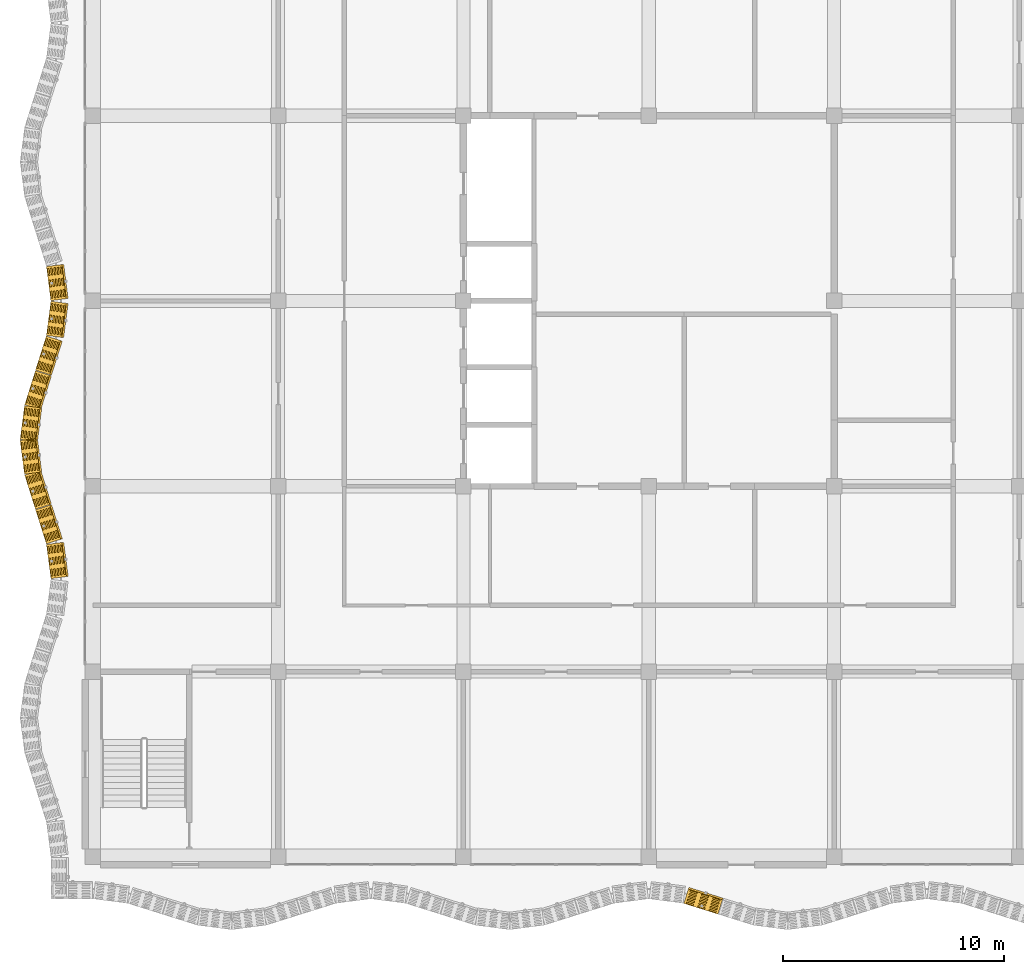
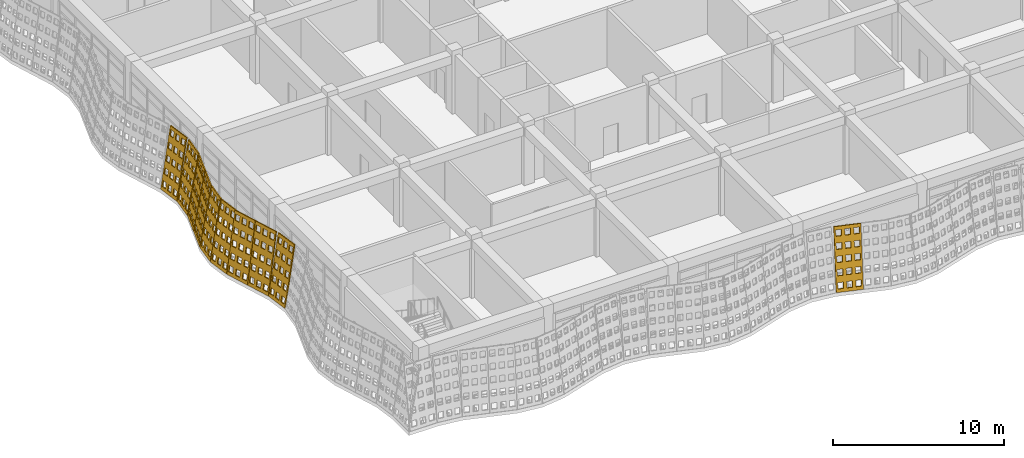
# One storey, part 116 of 162: 10 coverings.
"""IFC4 building model written with IfcOpenShell, lengths in metres."""

from ifc_helpers import new_model, si_unit, direction, frame, origin, place, context, subcontext, project, spatial, polyline, outline, extrude, material, layer, layer_set, type_object, element, save


model = new_model("IFC4")

# Units and contexts
model_context = context("Model", 3, precision=1e-05, world=origin(), true_north=direction((0.0, 1.0)))
body_context = subcontext(model_context, "Body", "Model", "MODEL_VIEW")
ifc_project = project(units=[si_unit("LENGTHUNIT", "METRE"), si_unit("AREAUNIT", "SQUARE_METRE"), si_unit("VOLUMEUNIT", "CUBIC_METRE"), si_unit("PLANEANGLEUNIT", "RADIAN"), si_unit("MASSUNIT", "GRAM", prefix="KILO")], contexts=[model_context])

# Site, building, storey
site_placement = place(None, origin())
site = spatial("IfcSite", under=ifc_project, at=site_placement, CompositionType="ELEMENT")
building_placement = place(site_placement, origin())
building = spatial("IfcBuilding", under=site, at=building_placement, Name="Rain Tree Exposition and Congress Centre", CompositionType="ELEMENT")
storey_placement = place(building_placement, frame((0.0, 0.0, 6.0)))
storey = spatial("IfcBuildingStorey", under=building, at=storey_placement, Name="L01", CompositionType="ELEMENT", Elevation=6.0)

# Coverings
ifc_material = material(Name="Perforated terracotta", Category="masonry")
ifc_layer = layer(ifc_material, 0.080078125)
ifc_layer_set = layer_set([ifc_layer], Name="Perforated terracotta")
covering_type = type_object("IfcCoveringType", Name="Terracotta screen 80", PredefinedType="CLADDING", material=ifc_layer_set)
covering_1_placement = place(storey_placement, frame((26.775634765625, -2.103515625, 0.0126953125), z_axis=(0.295717964052, 0.942029390639, -0.158529217842), x_axis=(-0.954094597562, 0.29950542383, 0.0)))
element("IfcCovering", 1, at=covering_1_placement, inside=storey, type_object=covering_type, Name="wing/screen/L01/018", PredefinedType="CLADDING", context=body_context, shape_type="SweptSolid", body=[
    extrude(outline(polyline([(-1.635986328125, 0.0), (-1.635986328125, 4.291259765625), (-0.014892578125, 4.291259765625), (-0.014892578125, 0.0), (-1.635986328125, 0.0)]), holes=[polyline([(-0.11767578125, 0.221435546875), (-0.11767578125, 0.63671875), (-0.45263671875, 0.63671875), (-0.45263671875, 0.221435546875), (-0.11767578125, 0.221435546875)]), polyline([(-0.11767578125, 1.07958984375), (-0.11767578125, 1.4951171875), (-0.45263671875, 1.4951171875), (-0.45263671875, 1.07958984375), (-0.11767578125, 1.07958984375)]), polyline([(-0.11767578125, 1.93798828125), (-0.11767578125, 2.353271484375), (-0.45263671875, 2.353271484375), (-0.45263671875, 1.93798828125), (-0.11767578125, 1.93798828125)]), polyline([(-0.11767578125, 2.796142578125), (-0.11767578125, 3.21142578125), (-0.45263671875, 3.21142578125), (-0.45263671875, 2.796142578125), (-0.11767578125, 2.796142578125)]), polyline([(-0.11767578125, 3.654541015625), (-0.11767578125, 4.06982421875), (-0.45263671875, 4.06982421875), (-0.45263671875, 3.654541015625), (-0.11767578125, 3.654541015625)]), polyline([(-0.657958984375, 0.221435546875), (-0.657958984375, 0.63671875), (-0.992919921875, 0.63671875), (-0.992919921875, 0.221435546875), (-0.657958984375, 0.221435546875)]), polyline([(-0.657958984375, 1.07958984375), (-0.657958984375, 1.4951171875), (-0.992919921875, 1.4951171875), (-0.992919921875, 1.07958984375), (-0.657958984375, 1.07958984375)]), polyline([(-0.657958984375, 1.93798828125), (-0.657958984375, 2.353271484375), (-0.992919921875, 2.353271484375), (-0.992919921875, 1.93798828125), (-0.657958984375, 1.93798828125)]), polyline([(-0.657958984375, 2.796142578125), (-0.657958984375, 3.21142578125), (-0.992919921875, 3.21142578125), (-0.992919921875, 2.796142578125), (-0.657958984375, 2.796142578125)]), polyline([(-0.657958984375, 3.654541015625), (-0.657958984375, 4.06982421875), (-0.992919921875, 4.06982421875), (-0.992919921875, 3.654541015625), (-0.657958984375, 3.654541015625)]), polyline([(-1.1982421875, 0.221435546875), (-1.1982421875, 0.63671875), (-1.533203125, 0.63671875), (-1.533203125, 0.221435546875), (-1.1982421875, 0.221435546875)]), polyline([(-1.1982421875, 1.07958984375), (-1.1982421875, 1.4951171875), (-1.533203125, 1.4951171875), (-1.533203125, 1.07958984375), (-1.1982421875, 1.07958984375)]), polyline([(-1.1982421875, 1.93798828125), (-1.1982421875, 2.353271484375), (-1.533203125, 2.353271484375), (-1.533203125, 1.93798828125), (-1.1982421875, 1.93798828125)]), polyline([(-1.1982421875, 2.796142578125), (-1.1982421875, 3.21142578125), (-1.533203125, 3.21142578125), (-1.533203125, 2.796142578125), (-1.1982421875, 2.796142578125)]), polyline([(-1.1982421875, 3.654541015625), (-1.1982421875, 4.06982421875), (-1.533203125, 4.06982421875), (-1.533203125, 3.654541015625), (-1.1982421875, 3.654541015625)])]), origin(), (0.0, 0.0, 1.0), 0.080078125),
])
covering_2_placement = place(storey_placement, frame((-2.10302734375, 26.775390625, 0.01318359375), z_axis=(0.978282259159, 0.125342414455, -0.165085131233), x_axis=(-0.127086122318, 0.991891686382, 0.0)))
element("IfcCovering", 2, at=covering_2_placement, inside=storey, type_object=covering_type, Name="wing/screen/L01/118", PredefinedType="CLADDING", context=body_context, shape_type="SweptSolid", body=[
    extrude(outline(polyline([(-1.5732421875, 0.0), (-1.5732421875, 4.295166015625), (-0.014892578125, 4.295166015625), (-0.014892578125, 0.0), (-1.5732421875, 0.0)]), holes=[polyline([(-0.11376953125, 0.2216796875), (-0.11376953125, 0.63720703125), (-0.435791015625, 0.63720703125), (-0.435791015625, 0.2216796875), (-0.11376953125, 0.2216796875)]), polyline([(-0.11376953125, 1.080810546875), (-0.11376953125, 1.496337890625), (-0.435791015625, 1.496337890625), (-0.435791015625, 1.080810546875), (-0.11376953125, 1.080810546875)]), polyline([(-0.11376953125, 1.939697265625), (-0.11376953125, 2.35546875), (-0.435791015625, 2.35546875), (-0.435791015625, 1.939697265625), (-0.11376953125, 1.939697265625)]), polyline([(-0.11376953125, 2.798583984375), (-0.11376953125, 3.21435546875), (-0.435791015625, 3.21435546875), (-0.435791015625, 2.798583984375), (-0.11376953125, 2.798583984375)]), polyline([(-0.11376953125, 3.65771484375), (-0.11376953125, 4.073486328125), (-0.435791015625, 4.073486328125), (-0.435791015625, 3.65771484375), (-0.11376953125, 3.65771484375)]), polyline([(-0.633056640625, 0.2216796875), (-0.633056640625, 0.63720703125), (-0.955078125, 0.63720703125), (-0.955078125, 0.2216796875), (-0.633056640625, 0.2216796875)]), polyline([(-0.633056640625, 1.080810546875), (-0.633056640625, 1.496337890625), (-0.955078125, 1.496337890625), (-0.955078125, 1.080810546875), (-0.633056640625, 1.080810546875)]), polyline([(-0.633056640625, 1.939697265625), (-0.633056640625, 2.35546875), (-0.955078125, 2.35546875), (-0.955078125, 1.939697265625), (-0.633056640625, 1.939697265625)]), polyline([(-0.633056640625, 2.798583984375), (-0.633056640625, 3.21435546875), (-0.955078125, 3.21435546875), (-0.955078125, 2.798583984375), (-0.633056640625, 2.798583984375)]), polyline([(-0.633056640625, 3.65771484375), (-0.633056640625, 4.073486328125), (-0.955078125, 4.073486328125), (-0.955078125, 3.65771484375), (-0.633056640625, 3.65771484375)]), polyline([(-1.152587890625, 0.2216796875), (-1.152587890625, 0.63720703125), (-1.474609375, 0.63720703125), (-1.474609375, 0.2216796875), (-1.152587890625, 0.2216796875)]), polyline([(-1.152587890625, 1.080810546875), (-1.152587890625, 1.496337890625), (-1.474609375, 1.496337890625), (-1.474609375, 1.080810546875), (-1.152587890625, 1.080810546875)]), polyline([(-1.152587890625, 1.939697265625), (-1.152587890625, 2.35546875), (-1.474609375, 2.35546875), (-1.474609375, 1.939697265625), (-1.152587890625, 1.939697265625)]), polyline([(-1.152587890625, 2.798583984375), (-1.152587890625, 3.21435546875), (-1.474609375, 3.21435546875), (-1.474609375, 2.798583984375), (-1.152587890625, 2.798583984375)]), polyline([(-1.152587890625, 3.65771484375), (-1.152587890625, 4.073486328125), (-1.474609375, 4.073486328125), (-1.474609375, 3.65771484375), (-1.152587890625, 3.65771484375)])]), origin(), (0.0, 0.0, 1.0), 0.079833984375),
])
covering_3_placement = place(storey_placement, frame((-1.898193359375, 25.19970703125, 0.01318359375), z_axis=(0.978036007662, -0.127967328105, -0.16452942185), x_axis=(0.129735338481, 0.991548658387, 0.0)))
element("IfcCovering", 3, at=covering_3_placement, inside=storey, type_object=covering_type, Name="wing/screen/L01/119", PredefinedType="CLADDING", context=body_context, shape_type="SweptSolid", body=[
    extrude(outline(polyline([(-1.5732421875, 0.0), (-1.5732421875, 4.295166015625), (-0.014892578125, 4.295166015625), (-0.014892578125, 0.0), (-1.5732421875, 0.0)]), holes=[polyline([(-0.11376953125, 0.2216796875), (-0.11376953125, 0.63720703125), (-0.435791015625, 0.63720703125), (-0.435791015625, 0.2216796875), (-0.11376953125, 0.2216796875)]), polyline([(-0.11376953125, 1.080810546875), (-0.11376953125, 1.496337890625), (-0.435791015625, 1.496337890625), (-0.435791015625, 1.080810546875), (-0.11376953125, 1.080810546875)]), polyline([(-0.11376953125, 1.939697265625), (-0.11376953125, 2.35546875), (-0.435791015625, 2.35546875), (-0.435791015625, 1.939697265625), (-0.11376953125, 1.939697265625)]), polyline([(-0.11376953125, 2.798583984375), (-0.11376953125, 3.21435546875), (-0.435791015625, 3.21435546875), (-0.435791015625, 2.798583984375), (-0.11376953125, 2.798583984375)]), polyline([(-0.11376953125, 3.65771484375), (-0.11376953125, 4.073486328125), (-0.435791015625, 4.073486328125), (-0.435791015625, 3.65771484375), (-0.11376953125, 3.65771484375)]), polyline([(-0.633056640625, 0.2216796875), (-0.633056640625, 0.63720703125), (-0.955078125, 0.63720703125), (-0.955078125, 0.2216796875), (-0.633056640625, 0.2216796875)]), polyline([(-0.633056640625, 1.080810546875), (-0.633056640625, 1.496337890625), (-0.955078125, 1.496337890625), (-0.955078125, 1.080810546875), (-0.633056640625, 1.080810546875)]), polyline([(-0.633056640625, 1.939697265625), (-0.633056640625, 2.35546875), (-0.955078125, 2.35546875), (-0.955078125, 1.939697265625), (-0.633056640625, 1.939697265625)]), polyline([(-0.633056640625, 2.798583984375), (-0.633056640625, 3.21435546875), (-0.955078125, 3.21435546875), (-0.955078125, 2.798583984375), (-0.633056640625, 2.798583984375)]), polyline([(-0.633056640625, 3.65771484375), (-0.633056640625, 4.073486328125), (-0.955078125, 4.073486328125), (-0.955078125, 3.65771484375), (-0.633056640625, 3.65771484375)]), polyline([(-1.152587890625, 0.2216796875), (-1.152587890625, 0.63720703125), (-1.474609375, 0.63720703125), (-1.474609375, 0.2216796875), (-1.152587890625, 0.2216796875)]), polyline([(-1.152587890625, 1.080810546875), (-1.152587890625, 1.496337890625), (-1.474609375, 1.496337890625), (-1.474609375, 1.080810546875), (-1.152587890625, 1.080810546875)]), polyline([(-1.152587890625, 1.939697265625), (-1.152587890625, 2.35546875), (-1.474609375, 2.35546875), (-1.474609375, 1.939697265625), (-1.152587890625, 1.939697265625)]), polyline([(-1.152587890625, 2.798583984375), (-1.152587890625, 3.21435546875), (-1.474609375, 3.21435546875), (-1.474609375, 2.798583984375), (-1.152587890625, 2.798583984375)]), polyline([(-1.152587890625, 3.65771484375), (-1.152587890625, 4.073486328125), (-1.474609375, 4.073486328125), (-1.474609375, 3.65771484375), (-1.152587890625, 3.65771484375)])]), origin(), (0.0, 0.0, 1.0), 0.080078125),
])
covering_4_placement = place(storey_placement, frame((-2.103515625, 23.62451171875, 0.0126953125), z_axis=(0.941176896939, -0.298496232686, -0.158385756119), x_axis=(0.302312226207, 0.953208958144, 0.0)))
element("IfcCovering", 4, at=covering_4_placement, inside=storey, type_object=covering_type, Name="wing/screen/L01/120", PredefinedType="CLADDING", context=body_context, shape_type="SweptSolid", body=[
    extrude(outline(polyline([(-1.635986328125, 0.0), (-1.635986328125, 4.291259765625), (-0.014892578125, 4.291259765625), (-0.014892578125, 0.0), (-1.635986328125, 0.0)]), holes=[polyline([(-0.11767578125, 0.221435546875), (-0.11767578125, 0.63671875), (-0.45263671875, 0.63671875), (-0.45263671875, 0.221435546875), (-0.11767578125, 0.221435546875)]), polyline([(-0.11767578125, 1.07958984375), (-0.11767578125, 1.4951171875), (-0.45263671875, 1.4951171875), (-0.45263671875, 1.07958984375), (-0.11767578125, 1.07958984375)]), polyline([(-0.11767578125, 1.93798828125), (-0.11767578125, 2.353271484375), (-0.45263671875, 2.353271484375), (-0.45263671875, 1.93798828125), (-0.11767578125, 1.93798828125)]), polyline([(-0.11767578125, 2.796142578125), (-0.11767578125, 3.21142578125), (-0.45263671875, 3.21142578125), (-0.45263671875, 2.796142578125), (-0.11767578125, 2.796142578125)]), polyline([(-0.11767578125, 3.654541015625), (-0.11767578125, 4.06982421875), (-0.45263671875, 4.06982421875), (-0.45263671875, 3.654541015625), (-0.11767578125, 3.654541015625)]), polyline([(-0.657958984375, 0.221435546875), (-0.657958984375, 0.63671875), (-0.992919921875, 0.63671875), (-0.992919921875, 0.221435546875), (-0.657958984375, 0.221435546875)]), polyline([(-0.657958984375, 1.07958984375), (-0.657958984375, 1.4951171875), (-0.992919921875, 1.4951171875), (-0.992919921875, 1.07958984375), (-0.657958984375, 1.07958984375)]), polyline([(-0.657958984375, 1.93798828125), (-0.657958984375, 2.353271484375), (-0.992919921875, 2.353271484375), (-0.992919921875, 1.93798828125), (-0.657958984375, 1.93798828125)]), polyline([(-0.657958984375, 2.796142578125), (-0.657958984375, 3.21142578125), (-0.992919921875, 3.21142578125), (-0.992919921875, 2.796142578125), (-0.657958984375, 2.796142578125)]), polyline([(-0.657958984375, 3.654541015625), (-0.657958984375, 4.06982421875), (-0.992919921875, 4.06982421875), (-0.992919921875, 3.654541015625), (-0.657958984375, 3.654541015625)]), polyline([(-1.1982421875, 0.221435546875), (-1.1982421875, 0.63671875), (-1.533203125, 0.63671875), (-1.533203125, 0.221435546875), (-1.1982421875, 0.221435546875)]), polyline([(-1.1982421875, 1.07958984375), (-1.1982421875, 1.4951171875), (-1.533203125, 1.4951171875), (-1.533203125, 1.07958984375), (-1.1982421875, 1.07958984375)]), polyline([(-1.1982421875, 1.93798828125), (-1.1982421875, 2.353271484375), (-1.533203125, 2.353271484375), (-1.533203125, 1.93798828125), (-1.1982421875, 1.93798828125)]), polyline([(-1.1982421875, 2.796142578125), (-1.1982421875, 3.21142578125), (-1.533203125, 3.21142578125), (-1.533203125, 2.796142578125), (-1.1982421875, 2.796142578125)]), polyline([(-1.1982421875, 3.654541015625), (-1.1982421875, 4.06982421875), (-1.533203125, 4.06982421875), (-1.533203125, 3.654541015625), (-1.1982421875, 3.654541015625)])]), origin(), (0.0, 0.0, 1.0), 0.080078125),
])
covering_5_placement = place(storey_placement, frame((-2.598388671875, 22.04931640625, 0.0126953125), z_axis=(0.942029390639, -0.295717964052, -0.158529217842), x_axis=(0.29950542383, 0.954094597562, 0.0)))
element("IfcCovering", 5, at=covering_5_placement, inside=storey, type_object=covering_type, Name="wing/screen/L01/121", PredefinedType="CLADDING", context=body_context, shape_type="SweptSolid", body=[
    extrude(outline(polyline([(-1.62890625, 0.0), (-1.62890625, 4.291259765625), (-0.014892578125, 4.291259765625), (-0.014892578125, 0.0), (-1.62890625, 0.0)]), holes=[polyline([(-0.1171875, 0.221435546875), (-0.1171875, 0.63671875), (-0.45068359375, 0.63671875), (-0.45068359375, 0.221435546875), (-0.1171875, 0.221435546875)]), polyline([(-0.1171875, 1.07958984375), (-0.1171875, 1.4951171875), (-0.45068359375, 1.4951171875), (-0.45068359375, 1.07958984375), (-0.1171875, 1.07958984375)]), polyline([(-0.1171875, 1.93798828125), (-0.1171875, 2.353271484375), (-0.45068359375, 2.353271484375), (-0.45068359375, 1.93798828125), (-0.1171875, 1.93798828125)]), polyline([(-0.1171875, 2.796142578125), (-0.1171875, 3.21142578125), (-0.45068359375, 3.21142578125), (-0.45068359375, 2.796142578125), (-0.1171875, 2.796142578125)]), polyline([(-0.1171875, 3.654541015625), (-0.1171875, 4.06982421875), (-0.45068359375, 4.06982421875), (-0.45068359375, 3.654541015625), (-0.1171875, 3.654541015625)]), polyline([(-0.6552734375, 0.221435546875), (-0.6552734375, 0.63671875), (-0.98876953125, 0.63671875), (-0.98876953125, 0.221435546875), (-0.6552734375, 0.221435546875)]), polyline([(-0.6552734375, 1.07958984375), (-0.6552734375, 1.4951171875), (-0.98876953125, 1.4951171875), (-0.98876953125, 1.07958984375), (-0.6552734375, 1.07958984375)]), polyline([(-0.6552734375, 1.93798828125), (-0.6552734375, 2.353271484375), (-0.98876953125, 2.353271484375), (-0.98876953125, 1.93798828125), (-0.6552734375, 1.93798828125)]), polyline([(-0.6552734375, 2.796142578125), (-0.6552734375, 3.21142578125), (-0.98876953125, 3.21142578125), (-0.98876953125, 2.796142578125), (-0.6552734375, 2.796142578125)]), polyline([(-0.6552734375, 3.654541015625), (-0.6552734375, 4.06982421875), (-0.98876953125, 4.06982421875), (-0.98876953125, 3.654541015625), (-0.6552734375, 3.654541015625)]), polyline([(-1.193115234375, 0.221435546875), (-1.193115234375, 0.63671875), (-1.526611328125, 0.63671875), (-1.526611328125, 0.221435546875), (-1.193115234375, 0.221435546875)]), polyline([(-1.193115234375, 1.07958984375), (-1.193115234375, 1.4951171875), (-1.526611328125, 1.4951171875), (-1.526611328125, 1.07958984375), (-1.193115234375, 1.07958984375)]), polyline([(-1.193115234375, 1.93798828125), (-1.193115234375, 2.353271484375), (-1.526611328125, 2.353271484375), (-1.526611328125, 1.93798828125), (-1.193115234375, 1.93798828125)]), polyline([(-1.193115234375, 2.796142578125), (-1.193115234375, 3.21142578125), (-1.526611328125, 3.21142578125), (-1.526611328125, 2.796142578125), (-1.193115234375, 2.796142578125)]), polyline([(-1.193115234375, 3.654541015625), (-1.193115234375, 4.06982421875), (-1.526611328125, 4.06982421875), (-1.526611328125, 3.654541015625), (-1.193115234375, 3.654541015625)])]), origin(), (0.0, 0.0, 1.0), 0.080078125),
])
covering_6_placement = place(storey_placement, frame((-3.093017578125, 20.474609375, 0.01318359375), z_axis=(0.978282259159, -0.125342414455, -0.165085131233), x_axis=(0.127086122318, 0.991891686382, 0.0)))
element("IfcCovering", 6, at=covering_6_placement, inside=storey, type_object=covering_type, Name="wing/screen/L01/122", PredefinedType="CLADDING", context=body_context, shape_type="SweptSolid", body=[
    extrude(outline(polyline([(-1.56298828125, 0.0), (-1.56298828125, 4.295166015625), (-0.02197265625, 4.295166015625), (-0.02197265625, 0.0), (-1.56298828125, 0.0)]), holes=[polyline([(-0.11962890625, 0.2216796875), (-0.11962890625, 0.63720703125), (-0.43798828125, 0.63720703125), (-0.43798828125, 0.2216796875), (-0.11962890625, 0.2216796875)]), polyline([(-0.11962890625, 1.080810546875), (-0.11962890625, 1.496337890625), (-0.43798828125, 1.496337890625), (-0.43798828125, 1.080810546875), (-0.11962890625, 1.080810546875)]), polyline([(-0.11962890625, 1.939697265625), (-0.11962890625, 2.35546875), (-0.43798828125, 2.35546875), (-0.43798828125, 1.939697265625), (-0.11962890625, 1.939697265625)]), polyline([(-0.11962890625, 2.798583984375), (-0.11962890625, 3.21435546875), (-0.43798828125, 3.21435546875), (-0.43798828125, 2.798583984375), (-0.11962890625, 2.798583984375)]), polyline([(-0.11962890625, 3.65771484375), (-0.11962890625, 4.073486328125), (-0.43798828125, 4.073486328125), (-0.43798828125, 3.65771484375), (-0.11962890625, 3.65771484375)]), polyline([(-0.63330078125, 0.2216796875), (-0.63330078125, 0.63720703125), (-0.95166015625, 0.63720703125), (-0.95166015625, 0.2216796875), (-0.63330078125, 0.2216796875)]), polyline([(-0.63330078125, 1.080810546875), (-0.63330078125, 1.496337890625), (-0.95166015625, 1.496337890625), (-0.95166015625, 1.080810546875), (-0.63330078125, 1.080810546875)]), polyline([(-0.63330078125, 1.939697265625), (-0.63330078125, 2.35546875), (-0.95166015625, 2.35546875), (-0.95166015625, 1.939697265625), (-0.63330078125, 1.939697265625)]), polyline([(-0.63330078125, 2.798583984375), (-0.63330078125, 3.21435546875), (-0.95166015625, 3.21435546875), (-0.95166015625, 2.798583984375), (-0.63330078125, 2.798583984375)]), polyline([(-0.63330078125, 3.65771484375), (-0.63330078125, 4.073486328125), (-0.95166015625, 4.073486328125), (-0.95166015625, 3.65771484375), (-0.63330078125, 3.65771484375)]), polyline([(-1.146728515625, 0.2216796875), (-1.146728515625, 0.63720703125), (-1.46533203125, 0.63720703125), (-1.46533203125, 0.2216796875), (-1.146728515625, 0.2216796875)]), polyline([(-1.146728515625, 1.080810546875), (-1.146728515625, 1.496337890625), (-1.46533203125, 1.496337890625), (-1.46533203125, 1.080810546875), (-1.146728515625, 1.080810546875)]), polyline([(-1.146728515625, 1.939697265625), (-1.146728515625, 2.35546875), (-1.46533203125, 2.35546875), (-1.46533203125, 1.939697265625), (-1.146728515625, 1.939697265625)]), polyline([(-1.146728515625, 2.798583984375), (-1.146728515625, 3.21435546875), (-1.46533203125, 3.21435546875), (-1.46533203125, 2.798583984375), (-1.146728515625, 2.798583984375)]), polyline([(-1.146728515625, 3.65771484375), (-1.146728515625, 4.073486328125), (-1.46533203125, 4.073486328125), (-1.46533203125, 3.65771484375), (-1.146728515625, 3.65771484375)])]), origin(), (0.0, 0.0, 1.0), 0.079833984375),
])
covering_7_placement = place(storey_placement, frame((-3.298095703125, 18.900390625, 0.01318359375), z_axis=(0.978282259159, 0.125342414455, -0.165085131233), x_axis=(-0.127086122318, 0.991891686382, 0.0)))
element("IfcCovering", 7, at=covering_7_placement, inside=storey, type_object=covering_type, Name="wing/screen/L01/123", PredefinedType="CLADDING", context=body_context, shape_type="SweptSolid", body=[
    extrude(outline(polyline([(-1.56640625, 0.0), (-1.56640625, 4.295166015625), (-0.025390625, 4.295166015625), (-0.025390625, 0.0), (-1.56640625, 0.0)]), holes=[polyline([(-0.123046875, 0.2216796875), (-0.123046875, 0.63720703125), (-0.44140625, 0.63720703125), (-0.44140625, 0.2216796875), (-0.123046875, 0.2216796875)]), polyline([(-0.123046875, 1.080810546875), (-0.123046875, 1.496337890625), (-0.44140625, 1.496337890625), (-0.44140625, 1.080810546875), (-0.123046875, 1.080810546875)]), polyline([(-0.123046875, 1.939697265625), (-0.123046875, 2.35546875), (-0.44140625, 2.35546875), (-0.44140625, 1.939697265625), (-0.123046875, 1.939697265625)]), polyline([(-0.123046875, 2.798583984375), (-0.123046875, 3.21435546875), (-0.44140625, 3.21435546875), (-0.44140625, 2.798583984375), (-0.123046875, 2.798583984375)]), polyline([(-0.123046875, 3.65771484375), (-0.123046875, 4.073486328125), (-0.44140625, 4.073486328125), (-0.44140625, 3.65771484375), (-0.123046875, 3.65771484375)]), polyline([(-0.63671875, 0.2216796875), (-0.63671875, 0.63720703125), (-0.955078125, 0.63720703125), (-0.955078125, 0.2216796875), (-0.63671875, 0.2216796875)]), polyline([(-0.63671875, 1.080810546875), (-0.63671875, 1.496337890625), (-0.955078125, 1.496337890625), (-0.955078125, 1.080810546875), (-0.63671875, 1.080810546875)]), polyline([(-0.63671875, 1.939697265625), (-0.63671875, 2.35546875), (-0.955078125, 2.35546875), (-0.955078125, 1.939697265625), (-0.63671875, 1.939697265625)]), polyline([(-0.63671875, 2.798583984375), (-0.63671875, 3.21435546875), (-0.955078125, 3.21435546875), (-0.955078125, 2.798583984375), (-0.63671875, 2.798583984375)]), polyline([(-0.63671875, 3.65771484375), (-0.63671875, 4.073486328125), (-0.955078125, 4.073486328125), (-0.955078125, 3.65771484375), (-0.63671875, 3.65771484375)]), polyline([(-1.150146484375, 0.2216796875), (-1.150146484375, 0.63720703125), (-1.46875, 0.63720703125), (-1.46875, 0.2216796875), (-1.150146484375, 0.2216796875)]), polyline([(-1.150146484375, 1.080810546875), (-1.150146484375, 1.496337890625), (-1.46875, 1.496337890625), (-1.46875, 1.080810546875), (-1.150146484375, 1.080810546875)]), polyline([(-1.150146484375, 1.939697265625), (-1.150146484375, 2.35546875), (-1.46875, 2.35546875), (-1.46875, 1.939697265625), (-1.150146484375, 1.939697265625)]), polyline([(-1.150146484375, 2.798583984375), (-1.150146484375, 3.21435546875), (-1.46875, 3.21435546875), (-1.46875, 2.798583984375), (-1.150146484375, 2.798583984375)]), polyline([(-1.150146484375, 3.65771484375), (-1.150146484375, 4.073486328125), (-1.46875, 4.073486328125), (-1.46875, 3.65771484375), (-1.150146484375, 3.65771484375)])]), origin(), (0.0, 0.0, 1.0), 0.079833984375),
])
covering_8_placement = place(storey_placement, frame((-3.093505859375, 17.32568359375, 0.0126953125), z_axis=(0.942029390639, 0.295717964052, -0.158529217842), x_axis=(-0.29950542383, 0.954094597562, 0.0)))
element("IfcCovering", 8, at=covering_8_placement, inside=storey, type_object=covering_type, Name="wing/screen/L01/124", PredefinedType="CLADDING", context=body_context, shape_type="SweptSolid", body=[
    extrude(outline(polyline([(-1.635986328125, 0.0), (-1.635986328125, 4.291259765625), (-0.02197265625, 4.291259765625), (-0.02197265625, 0.0), (-1.635986328125, 0.0)]), holes=[polyline([(-0.124267578125, 0.221435546875), (-0.124267578125, 0.63671875), (-0.457763671875, 0.63671875), (-0.457763671875, 0.221435546875), (-0.124267578125, 0.221435546875)]), polyline([(-0.124267578125, 1.07958984375), (-0.124267578125, 1.4951171875), (-0.457763671875, 1.4951171875), (-0.457763671875, 1.07958984375), (-0.124267578125, 1.07958984375)]), polyline([(-0.124267578125, 1.93798828125), (-0.124267578125, 2.353271484375), (-0.457763671875, 2.353271484375), (-0.457763671875, 1.93798828125), (-0.124267578125, 1.93798828125)]), polyline([(-0.124267578125, 2.796142578125), (-0.124267578125, 3.21142578125), (-0.457763671875, 3.21142578125), (-0.457763671875, 2.796142578125), (-0.124267578125, 2.796142578125)]), polyline([(-0.124267578125, 3.654541015625), (-0.124267578125, 4.06982421875), (-0.457763671875, 4.06982421875), (-0.457763671875, 3.654541015625), (-0.124267578125, 3.654541015625)]), polyline([(-0.662109375, 0.221435546875), (-0.662109375, 0.63671875), (-0.995849609375, 0.63671875), (-0.995849609375, 0.221435546875), (-0.662109375, 0.221435546875)]), polyline([(-0.662109375, 1.07958984375), (-0.662109375, 1.4951171875), (-0.995849609375, 1.4951171875), (-0.995849609375, 1.07958984375), (-0.662109375, 1.07958984375)]), polyline([(-0.662109375, 1.93798828125), (-0.662109375, 2.353271484375), (-0.995849609375, 2.353271484375), (-0.995849609375, 1.93798828125), (-0.662109375, 1.93798828125)]), polyline([(-0.662109375, 2.796142578125), (-0.662109375, 3.21142578125), (-0.995849609375, 3.21142578125), (-0.995849609375, 2.796142578125), (-0.662109375, 2.796142578125)]), polyline([(-0.662109375, 3.654541015625), (-0.662109375, 4.06982421875), (-0.995849609375, 4.06982421875), (-0.995849609375, 3.654541015625), (-0.662109375, 3.654541015625)]), polyline([(-1.2001953125, 0.221435546875), (-1.2001953125, 0.63671875), (-1.53369140625, 0.63671875), (-1.53369140625, 0.221435546875), (-1.2001953125, 0.221435546875)]), polyline([(-1.2001953125, 1.07958984375), (-1.2001953125, 1.4951171875), (-1.53369140625, 1.4951171875), (-1.53369140625, 1.07958984375), (-1.2001953125, 1.07958984375)]), polyline([(-1.2001953125, 1.93798828125), (-1.2001953125, 2.353271484375), (-1.53369140625, 2.353271484375), (-1.53369140625, 1.93798828125), (-1.2001953125, 1.93798828125)]), polyline([(-1.2001953125, 2.796142578125), (-1.2001953125, 3.21142578125), (-1.53369140625, 3.21142578125), (-1.53369140625, 2.796142578125), (-1.2001953125, 2.796142578125)]), polyline([(-1.2001953125, 3.654541015625), (-1.2001953125, 4.06982421875), (-1.53369140625, 4.06982421875), (-1.53369140625, 3.654541015625), (-1.2001953125, 3.654541015625)])]), origin(), (0.0, 0.0, 1.0), 0.080078125),
])
covering_9_placement = place(storey_placement, frame((-2.598388671875, 15.75048828125, 0.0126953125), z_axis=(0.941176896939, 0.298496232686, -0.158385756119), x_axis=(-0.302312226207, 0.953208958144, 0.0)))
element("IfcCovering", 9, at=covering_9_placement, inside=storey, type_object=covering_type, Name="wing/screen/L01/125", PredefinedType="CLADDING", context=body_context, shape_type="SweptSolid", body=[
    extrude(outline(polyline([(-1.635986328125, 0.0), (-1.635986328125, 4.291259765625), (-0.014892578125, 4.291259765625), (-0.014892578125, 0.0), (-1.635986328125, 0.0)]), holes=[polyline([(-0.11767578125, 0.221435546875), (-0.11767578125, 0.63671875), (-0.45263671875, 0.63671875), (-0.45263671875, 0.221435546875), (-0.11767578125, 0.221435546875)]), polyline([(-0.11767578125, 1.07958984375), (-0.11767578125, 1.4951171875), (-0.45263671875, 1.4951171875), (-0.45263671875, 1.07958984375), (-0.11767578125, 1.07958984375)]), polyline([(-0.11767578125, 1.93798828125), (-0.11767578125, 2.353271484375), (-0.45263671875, 2.353271484375), (-0.45263671875, 1.93798828125), (-0.11767578125, 1.93798828125)]), polyline([(-0.11767578125, 2.796142578125), (-0.11767578125, 3.21142578125), (-0.45263671875, 3.21142578125), (-0.45263671875, 2.796142578125), (-0.11767578125, 2.796142578125)]), polyline([(-0.11767578125, 3.654541015625), (-0.11767578125, 4.06982421875), (-0.45263671875, 4.06982421875), (-0.45263671875, 3.654541015625), (-0.11767578125, 3.654541015625)]), polyline([(-0.657958984375, 0.221435546875), (-0.657958984375, 0.63671875), (-0.992919921875, 0.63671875), (-0.992919921875, 0.221435546875), (-0.657958984375, 0.221435546875)]), polyline([(-0.657958984375, 1.07958984375), (-0.657958984375, 1.4951171875), (-0.992919921875, 1.4951171875), (-0.992919921875, 1.07958984375), (-0.657958984375, 1.07958984375)]), polyline([(-0.657958984375, 1.93798828125), (-0.657958984375, 2.353271484375), (-0.992919921875, 2.353271484375), (-0.992919921875, 1.93798828125), (-0.657958984375, 1.93798828125)]), polyline([(-0.657958984375, 2.796142578125), (-0.657958984375, 3.21142578125), (-0.992919921875, 3.21142578125), (-0.992919921875, 2.796142578125), (-0.657958984375, 2.796142578125)]), polyline([(-0.657958984375, 3.654541015625), (-0.657958984375, 4.06982421875), (-0.992919921875, 4.06982421875), (-0.992919921875, 3.654541015625), (-0.657958984375, 3.654541015625)]), polyline([(-1.1982421875, 0.221435546875), (-1.1982421875, 0.63671875), (-1.533203125, 0.63671875), (-1.533203125, 0.221435546875), (-1.1982421875, 0.221435546875)]), polyline([(-1.1982421875, 1.07958984375), (-1.1982421875, 1.4951171875), (-1.533203125, 1.4951171875), (-1.533203125, 1.07958984375), (-1.1982421875, 1.07958984375)]), polyline([(-1.1982421875, 1.93798828125), (-1.1982421875, 2.353271484375), (-1.533203125, 2.353271484375), (-1.533203125, 1.93798828125), (-1.1982421875, 1.93798828125)]), polyline([(-1.1982421875, 2.796142578125), (-1.1982421875, 3.21142578125), (-1.533203125, 3.21142578125), (-1.533203125, 2.796142578125), (-1.1982421875, 2.796142578125)]), polyline([(-1.1982421875, 3.654541015625), (-1.1982421875, 4.06982421875), (-1.533203125, 4.06982421875), (-1.533203125, 3.654541015625), (-1.1982421875, 3.654541015625)])]), origin(), (0.0, 0.0, 1.0), 0.080078125),
])
covering_10_placement = place(storey_placement, frame((-2.10302734375, 14.17529296875, 0.01318359375), z_axis=(0.9779030419, 0.128349774249, -0.165021138321), x_axis=(-0.130133906157, 0.991496427865, 0.0)))
element("IfcCovering", 10, at=covering_10_placement, inside=storey, type_object=covering_type, Name="wing/screen/L01/126", PredefinedType="CLADDING", context=body_context, shape_type="SweptSolid", body=[
    extrude(outline(polyline([(-1.5732421875, 0.0), (-1.5732421875, 4.295166015625), (-0.014892578125, 4.295166015625), (-0.014892578125, 0.0), (-1.5732421875, 0.0)]), holes=[polyline([(-0.11376953125, 0.2216796875), (-0.11376953125, 0.63720703125), (-0.435791015625, 0.63720703125), (-0.435791015625, 0.2216796875), (-0.11376953125, 0.2216796875)]), polyline([(-0.11376953125, 1.080810546875), (-0.11376953125, 1.496337890625), (-0.435791015625, 1.496337890625), (-0.435791015625, 1.080810546875), (-0.11376953125, 1.080810546875)]), polyline([(-0.11376953125, 1.939697265625), (-0.11376953125, 2.35546875), (-0.435791015625, 2.35546875), (-0.435791015625, 1.939697265625), (-0.11376953125, 1.939697265625)]), polyline([(-0.11376953125, 2.798583984375), (-0.11376953125, 3.21435546875), (-0.435791015625, 3.21435546875), (-0.435791015625, 2.798583984375), (-0.11376953125, 2.798583984375)]), polyline([(-0.11376953125, 3.65771484375), (-0.11376953125, 4.073486328125), (-0.435791015625, 4.073486328125), (-0.435791015625, 3.65771484375), (-0.11376953125, 3.65771484375)]), polyline([(-0.633056640625, 0.2216796875), (-0.633056640625, 0.63720703125), (-0.955078125, 0.63720703125), (-0.955078125, 0.2216796875), (-0.633056640625, 0.2216796875)]), polyline([(-0.633056640625, 1.080810546875), (-0.633056640625, 1.496337890625), (-0.955078125, 1.496337890625), (-0.955078125, 1.080810546875), (-0.633056640625, 1.080810546875)]), polyline([(-0.633056640625, 1.939697265625), (-0.633056640625, 2.35546875), (-0.955078125, 2.35546875), (-0.955078125, 1.939697265625), (-0.633056640625, 1.939697265625)]), polyline([(-0.633056640625, 2.798583984375), (-0.633056640625, 3.21435546875), (-0.955078125, 3.21435546875), (-0.955078125, 2.798583984375), (-0.633056640625, 2.798583984375)]), polyline([(-0.633056640625, 3.65771484375), (-0.633056640625, 4.073486328125), (-0.955078125, 4.073486328125), (-0.955078125, 3.65771484375), (-0.633056640625, 3.65771484375)]), polyline([(-1.152587890625, 0.2216796875), (-1.152587890625, 0.63720703125), (-1.474609375, 0.63720703125), (-1.474609375, 0.2216796875), (-1.152587890625, 0.2216796875)]), polyline([(-1.152587890625, 1.080810546875), (-1.152587890625, 1.496337890625), (-1.474609375, 1.496337890625), (-1.474609375, 1.080810546875), (-1.152587890625, 1.080810546875)]), polyline([(-1.152587890625, 1.939697265625), (-1.152587890625, 2.35546875), (-1.474609375, 2.35546875), (-1.474609375, 1.939697265625), (-1.152587890625, 1.939697265625)]), polyline([(-1.152587890625, 2.798583984375), (-1.152587890625, 3.21435546875), (-1.474609375, 3.21435546875), (-1.474609375, 2.798583984375), (-1.152587890625, 2.798583984375)]), polyline([(-1.152587890625, 3.65771484375), (-1.152587890625, 4.073486328125), (-1.474609375, 4.073486328125), (-1.474609375, 3.65771484375), (-1.152587890625, 3.65771484375)])]), origin(), (0.0, 0.0, 1.0), 0.079833984375),
])

save(model, "model.ifc")
